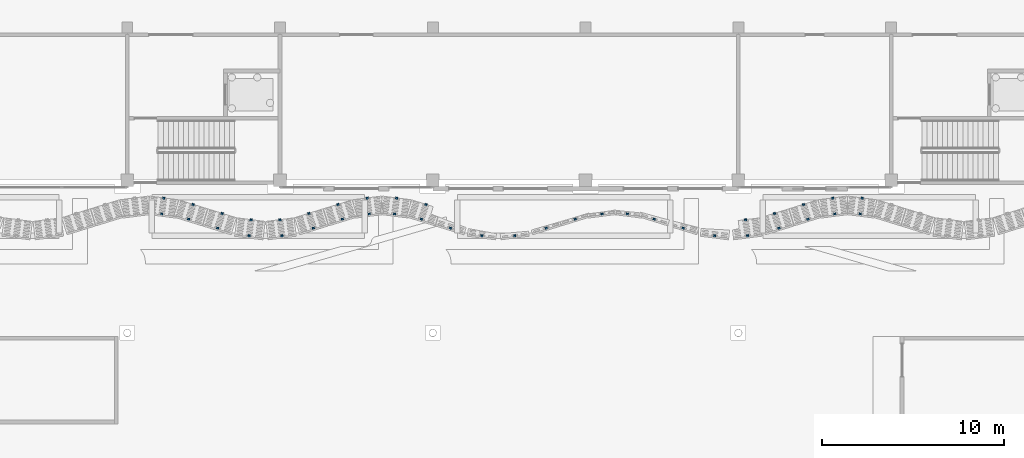
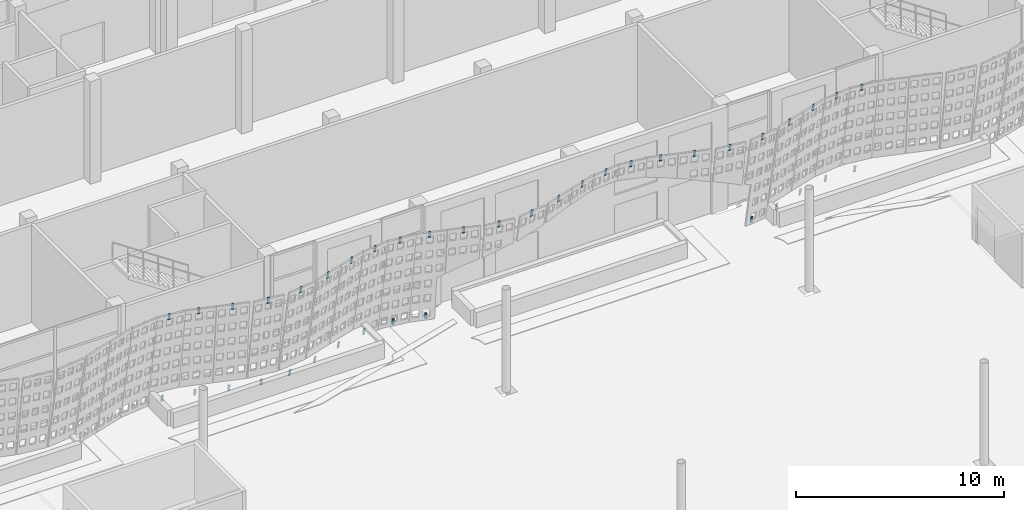
# One storey, part 141 of 210: 40 discrete accessories.
"""IFC4 building model written with IfcOpenShell, lengths in metres."""

from ifc_helpers import new_model, si_unit, direction, frame, origin, origin_2d, place, context, subcontext, project, spatial, rectangle, extrude, material, material_profile, profile_set, type_object, element, save


model = new_model("IFC4")

# Units and contexts
model_context = context("Model", 3, precision=1e-05, world=origin(), true_north=direction((0.0, 1.0)))
body_context = subcontext(model_context, "Body", "Model", "MODEL_VIEW")
ifc_project = project(units=[si_unit("LENGTHUNIT", "METRE"), si_unit("AREAUNIT", "SQUARE_METRE"), si_unit("VOLUMEUNIT", "CUBIC_METRE"), si_unit("PLANEANGLEUNIT", "RADIAN"), si_unit("MASSUNIT", "GRAM", prefix="KILO")], contexts=[model_context])

# Site, building, storey
site_placement = place(None, origin())
site = spatial("IfcSite", under=ifc_project, at=site_placement, CompositionType="ELEMENT")
building_placement = place(site_placement, origin())
building = spatial("IfcBuilding", under=site, at=building_placement, Name="Rain Tree Exposition and Congress Centre", CompositionType="ELEMENT")
storey_placement = place(building_placement, origin())
storey = spatial("IfcBuildingStorey", under=building, at=storey_placement, Name="L00", CompositionType="ELEMENT", Elevation=0.0)

# Discrete accessories
ifc_material = material(Name="Steel S355J2", Category="steel")
ifc_material_profile = material_profile(ifc_material, rectangle(XDim=0.1201171875, YDim=0.050048828125, at=origin_2d()), Name="Flat bar 120x50")
ifc_profile_set = profile_set([ifc_material_profile], Name="Steel S355J2")
discrete_accessory_type = type_object("IfcDiscreteAccessoryType", Name="Screen bracket 120x50", PredefinedType="BRACKET", material=ifc_profile_set)
for number, where, z_axis, x_axis, name in (
    (1, (77.501708984375, 73.781005859375, 5.351318359375), (-0.020139379294, -0.160504750127, 0.986829585384), (0.992219726556, -0.124499053142, 0.0), "concourse/bracket/L00/0491t"),
    (2, (77.61328125, 74.650390625, 0.00390625), (-0.020749404626, -0.160502747552, 0.986817272972), (0.991746960377, -0.128210633661, 0.0), "concourse/bracket/L00/0491b"),
):
    element("IfcDiscreteAccessory", number, at=place(storey_placement, frame(where, z_axis=z_axis, x_axis=x_axis)), inside=storey, type_object=discrete_accessory_type, Name=name, PredefinedType="BRACKET", context=body_context, shape_type="SweptSolid", body=[
        extrude(rectangle(XDim=0.1201171875, YDim=0.050048828125, at=origin_2d()), origin(), (0.0, 0.0, 1.0), 0.400146484375),
    ])
for number, where, z_axis, x_axis, name in (
    (3, (78.981201171875, 73.489990234375, 5.35107421875), (-0.046396386353, -0.148956819344, 0.987754646309), (0.954758063246, -0.297383659044, 0.0), "concourse/bracket/L00/0501t"),
    (4, (79.230712890625, 74.29638671875, 0.00390625), (-0.046396386353, -0.148956819344, 0.987754646309), (0.954758063246, -0.297383659044, 0.0), "concourse/bracket/L00/0501b"),
    (5, (80.577880859375, 72.99609375, 5.35107421875), (-0.046392159231, -0.149553671205, 0.987664653104), (0.955102182504, -0.296276595389, 0.0), "concourse/bracket/L00/0511t"),
    (6, (80.827392578125, 73.802490234375, 0.00390625), (-0.046396386353, -0.148956819344, 0.987754646309), (0.954758063246, -0.297383659044, 0.0), "concourse/bracket/L00/0511b"),
):
    element("IfcDiscreteAccessory", number, at=place(storey_placement, frame(where, z_axis=z_axis, x_axis=x_axis)), inside=storey, type_object=discrete_accessory_type, Name=name, PredefinedType="BRACKET", context=body_context, shape_type="SweptSolid", body=[
        extrude(rectangle(XDim=0.1201171875, YDim=0.050048828125, at=origin_2d()), origin(), (0.0, 0.0, 1.0), 0.39990234375),
    ])
for number, where, z_axis, x_axis, name in (
    (7, (82.300048828125, 72.586181640625, 5.351318359375), (-0.020139379294, -0.160504750127, 0.986829585384), (0.992219726556, -0.124499053142, 0.0), "concourse/bracket/L00/0521t"),
    (8, (82.41162109375, 73.45556640625, 0.00390625), (-0.020749404626, -0.160502747552, 0.986817272972), (0.991746960377, -0.128210633661, 0.0), "concourse/bracket/L00/0521b"),
    (9, (84.099853515625, 72.586181640625, 5.351318359375), (0.020749404626, -0.160502747552, 0.986817272972), (0.991746960377, 0.128210633661, 0.0), "concourse/bracket/L00/0531t"),
    (10, (83.988525390625, 73.45556640625, 0.00390625), (0.020139379294, -0.160504750127, 0.986829585384), (0.992219726556, 0.124499053142, 0.0), "concourse/bracket/L00/0531b"),
):
    element("IfcDiscreteAccessory", number, at=place(storey_placement, frame(where, z_axis=z_axis, x_axis=x_axis)), inside=storey, type_object=discrete_accessory_type, Name=name, PredefinedType="BRACKET", context=body_context, shape_type="SweptSolid", body=[
        extrude(rectangle(XDim=0.1201171875, YDim=0.050048828125, at=origin_2d()), origin(), (0.0, 0.0, 1.0), 0.400146484375),
    ])
for number, where, z_axis, x_axis, name in (
    (11, (85.822265625, 72.99609375, 5.35107421875), (0.045783024094, -0.149557878708, 0.987692439791), (0.956199955507, 0.292714272094, 0.0), "concourse/bracket/L00/0541t"),
    (12, (85.57275390625, 73.802490234375, 0.00390625), (0.045787195948, -0.148961010819, 0.987782440593), (0.955863671221, 0.293810554678, 0.0), "concourse/bracket/L00/0541b"),
    (13, (87.4189453125, 73.489990234375, 5.35107421875), (0.045787195948, -0.148961010819, 0.987782440593), (0.955863671221, 0.293810554678, 0.0), "concourse/bracket/L00/0551t"),
    (14, (87.16943359375, 74.29638671875, 0.00390625), (0.045787195948, -0.148961010819, 0.987782440593), (0.955863671221, 0.293810554678, 0.0), "concourse/bracket/L00/0551b"),
):
    element("IfcDiscreteAccessory", number, at=place(storey_placement, frame(where, z_axis=z_axis, x_axis=x_axis)), inside=storey, type_object=discrete_accessory_type, Name=name, PredefinedType="BRACKET", context=body_context, shape_type="SweptSolid", body=[
        extrude(rectangle(XDim=0.1201171875, YDim=0.050048828125, at=origin_2d()), origin(), (0.0, 0.0, 1.0), 0.39990234375),
    ])
for number, where, z_axis, x_axis, name in (
    (15, (88.898193359375, 73.781005859375, 5.351318359375), (0.020749404626, -0.160502747552, 0.986817272972), (0.991746960377, 0.128210633661, 0.0), "concourse/bracket/L00/0561t"),
    (16, (88.786865234375, 74.650390625, 0.00390625), (0.020139379294, -0.160504750127, 0.986829585384), (0.992219726556, 0.124499053142, 0.0), "concourse/bracket/L00/0561b"),
    (17, (90.3017578125, 73.781005859375, 5.351318359375), (-0.020139379294, -0.160504750127, 0.986829585384), (0.992219726556, -0.124499053142, 0.0), "concourse/bracket/L00/0571t"),
    (18, (90.4130859375, 74.650390625, 0.00390625), (-0.020139379294, -0.160504750127, 0.986829585384), (0.992219726556, -0.124499053142, 0.0), "concourse/bracket/L00/0571b"),
):
    element("IfcDiscreteAccessory", number, at=place(storey_placement, frame(where, z_axis=z_axis, x_axis=x_axis)), inside=storey, type_object=discrete_accessory_type, Name=name, PredefinedType="BRACKET", context=body_context, shape_type="SweptSolid", body=[
        extrude(rectangle(XDim=0.1201171875, YDim=0.050048828125, at=origin_2d()), origin(), (0.0, 0.0, 1.0), 0.400146484375),
    ])
for number, where, z_axis, x_axis, name in (
    (19, (91.781005859375, 73.489990234375, 5.35107421875), (-0.045787195948, -0.148961010819, 0.987782440593), (0.955863671221, -0.293810554678, 0.0), "concourse/bracket/L00/0581t"),
    (20, (92.030517578125, 74.29638671875, 0.00390625), (-0.045787195948, -0.148961010819, 0.987782440593), (0.955863671221, -0.293810554678, 0.0), "concourse/bracket/L00/0581b"),
    (21, (93.377685546875, 72.99609375, 5.35107421875), (-0.045783024094, -0.149557878708, 0.987692439791), (0.956199955507, -0.292714272094, 0.0), "concourse/bracket/L00/0591t"),
):
    element("IfcDiscreteAccessory", number, at=place(storey_placement, frame(where, z_axis=z_axis, x_axis=x_axis)), inside=storey, type_object=discrete_accessory_type, Name=name, PredefinedType="BRACKET", context=body_context, shape_type="SweptSolid", body=[
        extrude(rectangle(XDim=0.1201171875, YDim=0.050048828125, at=origin_2d()), origin(), (0.0, 0.0, 1.0), 0.39990234375),
    ])
for number, where, z_axis, x_axis, name in (
    (22, (95.10009765625, 72.586181640625, 5.351318359375), (-0.020749404626, -0.160502747552, 0.986817272972), (0.991746960377, -0.128210633661, 0.0), "concourse/bracket/L00/0601t"),
    (23, (96.89990234375, 72.586181640625, 5.351318359375), (0.020749404626, -0.160502747552, 0.986817272972), (0.991746960377, 0.128210633661, 0.0), "concourse/bracket/L00/0611t"),
):
    element("IfcDiscreteAccessory", number, at=place(storey_placement, frame(where, z_axis=z_axis, x_axis=x_axis)), inside=storey, type_object=discrete_accessory_type, Name=name, PredefinedType="BRACKET", context=body_context, shape_type="SweptSolid", body=[
        extrude(rectangle(XDim=0.1201171875, YDim=0.050048828125, at=origin_2d()), origin(), (0.0, 0.0, 1.0), 0.400146484375),
    ])
for number, where, z_axis, x_axis, name in (
    (24, (98.622314453125, 72.99609375, 5.35107421875), (0.045783024094, -0.149557878708, 0.987692439791), (0.956199955507, 0.292714272094, 0.0), "concourse/bracket/L00/0621t"),
    (25, (100.218994140625, 73.489990234375, 5.35107421875), (0.045787195948, -0.148961010819, 0.987782440593), (0.955863671221, 0.293810554678, 0.0), "concourse/bracket/L00/0631t"),
):
    element("IfcDiscreteAccessory", number, at=place(storey_placement, frame(where, z_axis=z_axis, x_axis=x_axis)), inside=storey, type_object=discrete_accessory_type, Name=name, PredefinedType="BRACKET", context=body_context, shape_type="SweptSolid", body=[
        extrude(rectangle(XDim=0.1201171875, YDim=0.050048828125, at=origin_2d()), origin(), (0.0, 0.0, 1.0), 0.39990234375),
    ])
for number, where, z_axis, x_axis, name in (
    (26, (101.6982421875, 73.781005859375, 5.351318359375), (0.020139379294, -0.160504750127, 0.986829585384), (0.992219726556, 0.124499053142, 0.0), "concourse/bracket/L00/0641t"),
    (27, (103.101806640625, 73.781005859375, 5.351318359375), (-0.020749404626, -0.160502747552, 0.986817272972), (0.991746960377, -0.128210633661, 0.0), "concourse/bracket/L00/0651t"),
):
    element("IfcDiscreteAccessory", number, at=place(storey_placement, frame(where, z_axis=z_axis, x_axis=x_axis)), inside=storey, type_object=discrete_accessory_type, Name=name, PredefinedType="BRACKET", context=body_context, shape_type="SweptSolid", body=[
        extrude(rectangle(XDim=0.1201171875, YDim=0.050048828125, at=origin_2d()), origin(), (0.0, 0.0, 1.0), 0.400146484375),
    ])
for number, where, z_axis, x_axis, name in (
    (28, (104.5810546875, 73.489990234375, 5.35107421875), (-0.045787195948, -0.148961010819, 0.987782440593), (0.955863671221, -0.293810554678, 0.0), "concourse/bracket/L00/0661t"),
    (29, (106.177734375, 72.99609375, 5.35107421875), (-0.045783024094, -0.149557878708, 0.987692439791), (0.956199955507, -0.292714272094, 0.0), "concourse/bracket/L00/0671t"),
):
    element("IfcDiscreteAccessory", number, at=place(storey_placement, frame(where, z_axis=z_axis, x_axis=x_axis)), inside=storey, type_object=discrete_accessory_type, Name=name, PredefinedType="BRACKET", context=body_context, shape_type="SweptSolid", body=[
        extrude(rectangle(XDim=0.1201171875, YDim=0.050048828125, at=origin_2d()), origin(), (0.0, 0.0, 1.0), 0.39990234375),
    ])
for number, where, z_axis, x_axis, name in (
    (30, (107.900146484375, 72.586181640625, 5.351318359375), (-0.020749404626, -0.160502747552, 0.986817272972), (0.991746960377, -0.128210633661, 0.0), "concourse/bracket/L00/0681t"),
    (31, (109.699951171875, 72.586181640625, 5.351318359375), (0.020139379294, -0.160504750127, 0.986829585384), (0.992219726556, 0.124499053142, 0.0), "concourse/bracket/L00/0691t"),
    (32, (109.58837890625, 73.45556640625, 0.00390625), (0.020749404626, -0.160502747552, 0.986817272972), (0.991746960377, 0.128210633661, 0.0), "concourse/bracket/L00/0691b"),
):
    element("IfcDiscreteAccessory", number, at=place(storey_placement, frame(where, z_axis=z_axis, x_axis=x_axis)), inside=storey, type_object=discrete_accessory_type, Name=name, PredefinedType="BRACKET", context=body_context, shape_type="SweptSolid", body=[
        extrude(rectangle(XDim=0.1201171875, YDim=0.050048828125, at=origin_2d()), origin(), (0.0, 0.0, 1.0), 0.400146484375),
    ])
for number, where, z_axis, x_axis, name in (
    (33, (111.422119140625, 72.99609375, 5.35107421875), (0.046392159231, -0.149553671205, 0.987664653104), (0.955102182504, 0.296276595389, 0.0), "concourse/bracket/L00/0701t"),
    (34, (111.172607421875, 73.802490234375, 0.00390625), (0.046396386353, -0.148956819344, 0.987754646309), (0.954758063246, 0.297383659044, 0.0), "concourse/bracket/L00/0701b"),
    (35, (113.018798828125, 73.489990234375, 5.35107421875), (0.046396386353, -0.148956819344, 0.987754646309), (0.954758063246, 0.297383659044, 0.0), "concourse/bracket/L00/0711t"),
    (36, (112.769287109375, 74.29638671875, 0.00390625), (0.046396386353, -0.148956819344, 0.987754646309), (0.954758063246, 0.297383659044, 0.0), "concourse/bracket/L00/0711b"),
):
    element("IfcDiscreteAccessory", number, at=place(storey_placement, frame(where, z_axis=z_axis, x_axis=x_axis)), inside=storey, type_object=discrete_accessory_type, Name=name, PredefinedType="BRACKET", context=body_context, shape_type="SweptSolid", body=[
        extrude(rectangle(XDim=0.1201171875, YDim=0.050048828125, at=origin_2d()), origin(), (0.0, 0.0, 1.0), 0.39990234375),
    ])
for number, where, z_axis, x_axis, name in (
    (37, (114.498291015625, 73.781005859375, 5.351318359375), (0.020139379294, -0.160504750127, 0.986829585384), (0.992219726556, 0.124499053142, 0.0), "concourse/bracket/L00/0721t"),
    (38, (114.38671875, 74.650390625, 0.00390625), (0.020749404626, -0.160502747552, 0.986817272972), (0.991746960377, 0.128210633661, 0.0), "concourse/bracket/L00/0721b"),
    (39, (115.90185546875, 73.781005859375, 5.351318359375), (-0.020749404626, -0.160502747552, 0.986817272972), (0.991746960377, -0.128210633661, 0.0), "concourse/bracket/L00/0731t"),
    (40, (116.01318359375, 74.650390625, 0.00390625), (-0.020749404626, -0.160502747552, 0.986817272972), (0.991746960377, -0.128210633661, 0.0), "concourse/bracket/L00/0731b"),
):
    element("IfcDiscreteAccessory", number, at=place(storey_placement, frame(where, z_axis=z_axis, x_axis=x_axis)), inside=storey, type_object=discrete_accessory_type, Name=name, PredefinedType="BRACKET", context=body_context, shape_type="SweptSolid", body=[
        extrude(rectangle(XDim=0.1201171875, YDim=0.050048828125, at=origin_2d()), origin(), (0.0, 0.0, 1.0), 0.400146484375),
    ])

save(model, "model.ifc")
